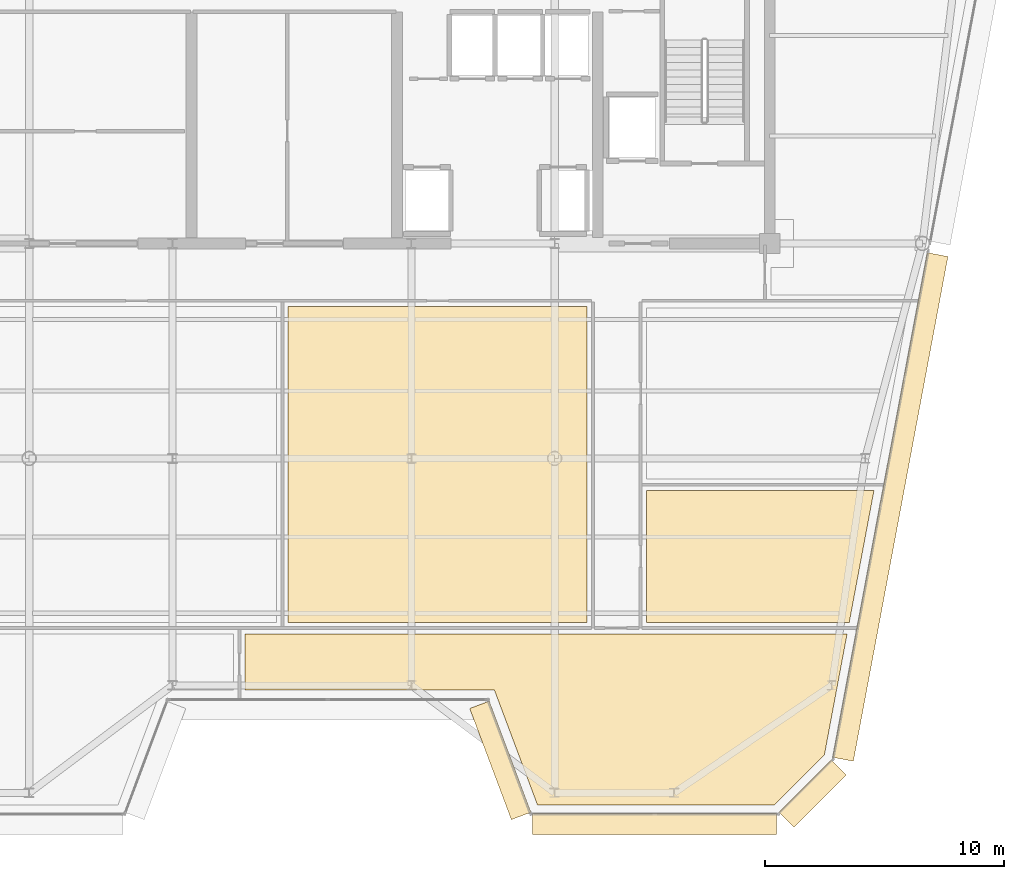
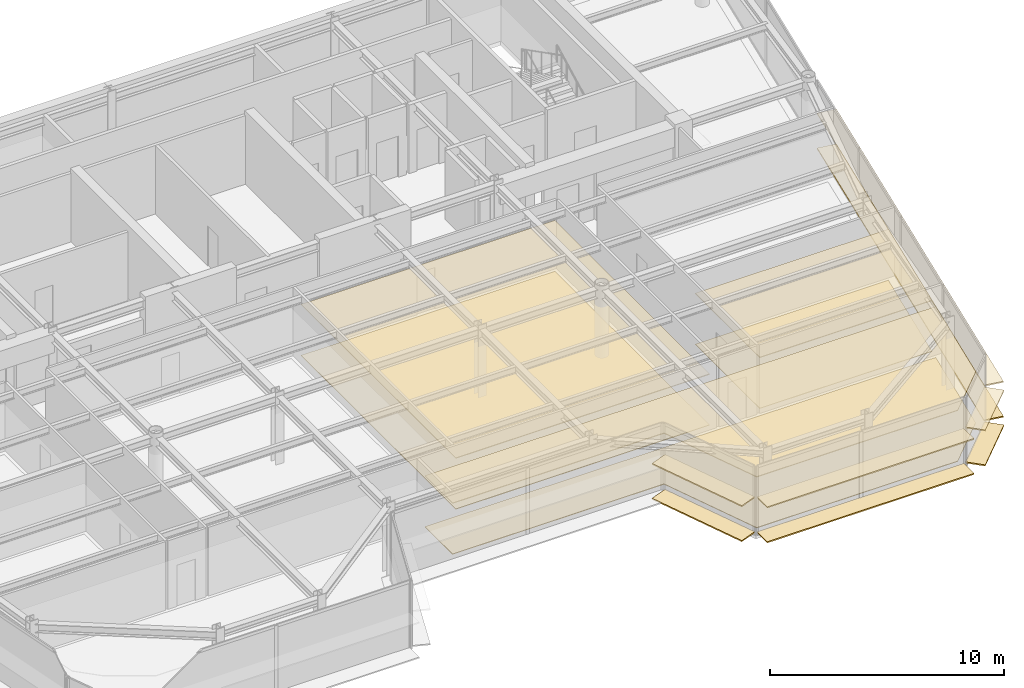
# One storey, part 16 of 20: 14 coverings.
"""IFC4 building model written with IfcOpenShell, lengths in metres."""

from ifc_helpers import new_model, si_unit, direction, frame, origin, origin_2d, place, context, subcontext, project, spatial, polyline, rectangle, outline, extrude, source, transform, mapped, material, layer, layer_set, type_object, element, save


model = new_model("IFC4")

# Units and contexts
model_context = context("Model", 3, precision=1e-05, world=origin(), true_north=direction((0.0, 1.0)))
body_context = subcontext(model_context, "Body", "Model", "MODEL_VIEW")
ifc_project = project(units=[si_unit("LENGTHUNIT", "METRE"), si_unit("AREAUNIT", "SQUARE_METRE"), si_unit("VOLUMEUNIT", "CUBIC_METRE"), si_unit("PLANEANGLEUNIT", "RADIAN"), si_unit("MASSUNIT", "GRAM", prefix="KILO")], contexts=[model_context])

# Site, building, storey
site_placement = place(None, origin())
site = spatial("IfcSite", under=ifc_project, at=site_placement, CompositionType="ELEMENT")
building_placement = place(site_placement, origin())
building = spatial("IfcBuilding", under=site, at=building_placement, Name="Vaeldorn Concourse Tower", CompositionType="ELEMENT")
storey_placement = place(building_placement, frame((0.0, 0.0, 284.0)))
storey = spatial("IfcBuildingStorey", under=building, at=storey_placement, Name="L73", CompositionType="ELEMENT", Elevation=284.0)

# Coverings
ifc_material_1 = material(Name="Acoustic Mineral Fibre Board", Category="gypsum")
ifc_layer_1 = layer(ifc_material_1, 0.0400390625)
ifc_layer_set_1 = layer_set([ifc_layer_1], Name="Acoustic Mineral Fibre Board")
covering_type_1 = type_object("IfcCoveringType", Name="COV-CEIL-ACOUSTIC", PredefinedType="CEILING", material=ifc_layer_set_1)
covering_1_placement = place(storey_placement, frame((0.0, 0.0, 2.64990234375)))
element("IfcCovering", 1, at=covering_1_placement, inside=storey, type_object=covering_type_1, Name="Suspended Acoustic Ceiling L73-7", PredefinedType="CEILING", context=body_context, shape_type="SweptSolid", body=[
    extrude(outline(polyline([(48.840087890625, 20.639892578125), (48.840087890625, 26.159912109375), (58.367919921875, 26.159912109375), (57.3330078125, 20.639892578125), (48.840087890625, 20.639892578125)])), origin(), (0.0, 0.0, 1.0), 0.0400390625),
])
covering_2_placement = place(storey_placement, frame((0.0, 0.0, 2.64990234375)))
element("IfcCovering", 2, at=covering_2_placement, inside=storey, type_object=covering_type_1, Name="Suspended Acoustic Ceiling L73-10", PredefinedType="CEILING", context=body_context, shape_type="SweptSolid", body=[
    extrude(outline(polyline([(33.840087890625, 33.860107421875), (46.360107421875, 33.860107421875), (46.360107421875, 20.639892578125), (33.840087890625, 20.639892578125), (33.840087890625, 33.860107421875)])), origin(), (0.0, 0.0, 1.0), 0.0400390625),
])
covering_3_placement = place(storey_placement, frame((0.0, 0.0, 2.64990234375)))
element("IfcCovering", 3, at=covering_3_placement, inside=storey, type_object=covering_type_1, Name="Suspended Acoustic Ceiling L73-12", PredefinedType="CEILING", context=body_context, shape_type="SweptSolid", body=[
    extrude(outline(polyline([(32.0400390625, 20.159912109375), (57.242919921875, 20.159912109375), (56.4521484375, 15.941162109375), (56.4521484375, 15.941162109375), (56.293701171875, 15.09521484375), (54.1982421875, 13.0), (44.277099609375, 13.0), (42.477294921875, 17.800048828125), (32.0400390625, 17.800048828125), (32.0400390625, 20.159912109375)])), origin(), (0.0, 0.0, 1.0), 0.0400390625),
])
ifc_material_2 = material(Name="Honed Limestone Terrazzo Flooring", Category="masonry")
ifc_layer_2 = layer(ifc_material_2, 0.0400390625)
ifc_layer_set_2 = layer_set([ifc_layer_2], Name="Honed Limestone Terrazzo Flooring")
covering_type_2 = type_object("IfcCoveringType", Name="COV-FLOOR-STONE", PredefinedType="FLOORING", material=ifc_layer_set_2)
covering_4_placement = place(storey_placement, origin())
element("IfcCovering", 4, at=covering_4_placement, inside=storey, type_object=covering_type_2, Name="Floor Finish Covering L73-7", PredefinedType="FLOORING", context=body_context, shape_type="SweptSolid", body=[
    extrude(outline(polyline([(48.840087890625, 20.639892578125), (48.840087890625, 26.159912109375), (58.367919921875, 26.159912109375), (57.3330078125, 20.639892578125), (48.840087890625, 20.639892578125)])), origin(), (0.0, 0.0, 1.0), 0.030029296875),
])
covering_5_placement = place(storey_placement, origin())
element("IfcCovering", 5, at=covering_5_placement, inside=storey, type_object=covering_type_2, Name="Floor Finish Covering L73-10", PredefinedType="FLOORING", context=body_context, shape_type="SweptSolid", body=[
    extrude(outline(polyline([(33.840087890625, 33.860107421875), (46.360107421875, 33.860107421875), (46.360107421875, 20.639892578125), (33.840087890625, 20.639892578125), (33.840087890625, 33.860107421875)])), origin(), (0.0, 0.0, 1.0), 0.030029296875),
])
covering_6_placement = place(storey_placement, origin())
element("IfcCovering", 6, at=covering_6_placement, inside=storey, type_object=covering_type_2, Name="Floor Finish Covering L73-12", PredefinedType="FLOORING", context=body_context, shape_type="SweptSolid", body=[
    extrude(outline(polyline([(32.0400390625, 20.159912109375), (57.242919921875, 20.159912109375), (56.4521484375, 15.941162109375), (56.4521484375, 15.941162109375), (56.293701171875, 15.09521484375), (54.1982421875, 13.0), (44.277099609375, 13.0), (42.477294921875, 17.800048828125), (32.0400390625, 17.800048828125), (32.0400390625, 20.159912109375)])), origin(), (0.0, 0.0, 1.0), 0.030029296875),
])
ifc_material_3 = material(Name="Anodised Bronze Aluminium", Category="aluminium")
ifc_layer_3 = layer(ifc_material_3, 0.06494140625)
ifc_layer_set_3 = layer_set([ifc_layer_3], Name="Anodised Bronze Aluminium")
covering_type_3 = type_object("IfcCoveringType", Name="SD-BRONZE-SUNSHADE", PredefinedType="USERDEFINED", material=ifc_layer_set_3)
shared_shape_1 = source(origin(), body_context, "Body", "SweptSolid", [
    extrude(rectangle(XDim=4.96630859375, YDim=0.8798828125, at=origin_2d()), origin(), (0.0, 0.0, 1.0), 0.06494140625),
])
for number, where, z_axis, x_axis, name in (
    (7, (42.7255859375, 14.859619140625, 0.047607421875), (0.0, 0.0, 1.0), (0.351122702609, -0.936329454686, 0.0), "Horizontal Bronze Sunshade L73-E04.1.1"),
    (8, (42.7255859375, 14.859619140625, 1.867431640625), (0.0, 0.0, 1.0), (0.351122702609, -0.936329454686, 0.0), "Horizontal Bronze Sunshade L73-E04.1.2"),
):
    element("IfcCovering", number, at=place(storey_placement, frame(where, z_axis=z_axis, x_axis=x_axis)), inside=storey, type_object=covering_type_3, Name=name, ObjectType="SUNSHADE", PredefinedType="USERDEFINED", context=body_context, shape_type="MappedRepresentation", body=[
        mapped(shared_shape_1, transform((0.0, 0.0, 0.0), scale=1.0)),
    ])
shared_shape_2 = source(origin(), body_context, "Body", "SweptSolid", [
    extrude(rectangle(XDim=3.0927734375, YDim=0.8798828125, at=origin_2d()), origin(), (0.0, 0.0, 1.0), 0.06494140625),
])
for number, where, z_axis, x_axis, name in (
    (9, (55.796875, 13.46728515625, 0.047607421875), (0.0, 0.0, 1.0), (0.707106781187, 0.707106781187, 0.0), "Horizontal Bronze Sunshade L73-E06.1.1"),
    (10, (55.796875, 13.46728515625, 1.867431640625), (0.0, 0.0, 1.0), (0.707106781187, 0.707106781187, 0.0), "Horizontal Bronze Sunshade L73-E06.1.2"),
):
    element("IfcCovering", number, at=place(storey_placement, frame(where, z_axis=z_axis, x_axis=x_axis)), inside=storey, type_object=covering_type_3, Name=name, ObjectType="SUNSHADE", PredefinedType="USERDEFINED", context=body_context, shape_type="MappedRepresentation", body=[
        mapped(shared_shape_2, transform((0.0, 0.0, 0.0), scale=1.0)),
    ])
shared_shape_3 = source(origin(), body_context, "Body", "SweptSolid", [
    extrude(rectangle(XDim=21.49560546875, YDim=0.8798828125, at=origin_2d()), origin(), (0.0, 0.0, 1.0), 0.06494140625),
])
for number, where, z_axis, x_axis, name in (
    (11, (59.05224609375, 25.46875, 0.047607421875), (0.0, 0.0, 1.0), (0.1842429853, 0.98288072642, 0.0), "Horizontal Bronze Sunshade L73-E07.1.1"),
    (12, (59.05224609375, 25.46875, 1.867431640625), (0.0, 0.0, 1.0), (0.1842429853, 0.98288072642, 0.0), "Horizontal Bronze Sunshade L73-E07.1.2"),
):
    element("IfcCovering", number, at=place(storey_placement, frame(where, z_axis=z_axis, x_axis=x_axis)), inside=storey, type_object=covering_type_3, Name=name, ObjectType="SUNSHADE", PredefinedType="USERDEFINED", context=body_context, shape_type="MappedRepresentation", body=[
        mapped(shared_shape_3, transform((0.0, 0.0, 0.0), scale=1.0)),
    ])
shared_shape_4 = source(origin(), body_context, "Body", "SweptSolid", [
    extrude(rectangle(XDim=10.2041015625, YDim=0.8798828125, at=origin_2d()), origin(), (0.0, 0.0, 1.0), 0.06494140625),
])
for number, where, z_axis, x_axis, name in (
    (13, (49.181884765625, 12.199951171875, 0.047607421875), (0.0, 0.0, 1.0), (1.0, 0.0, 0.0), "Horizontal Bronze Sunshade L73-E05.1.1"),
    (14, (49.181884765625, 12.199951171875, 1.867431640625), (0.0, 0.0, 1.0), (1.0, 0.0, 0.0), "Horizontal Bronze Sunshade L73-E05.1.2"),
):
    element("IfcCovering", number, at=place(storey_placement, frame(where, z_axis=z_axis, x_axis=x_axis)), inside=storey, type_object=covering_type_3, Name=name, ObjectType="SUNSHADE", PredefinedType="USERDEFINED", context=body_context, shape_type="MappedRepresentation", body=[
        mapped(shared_shape_4, transform((0.0, 0.0, 0.0), scale=1.0)),
    ])

save(model, "model.ifc")
